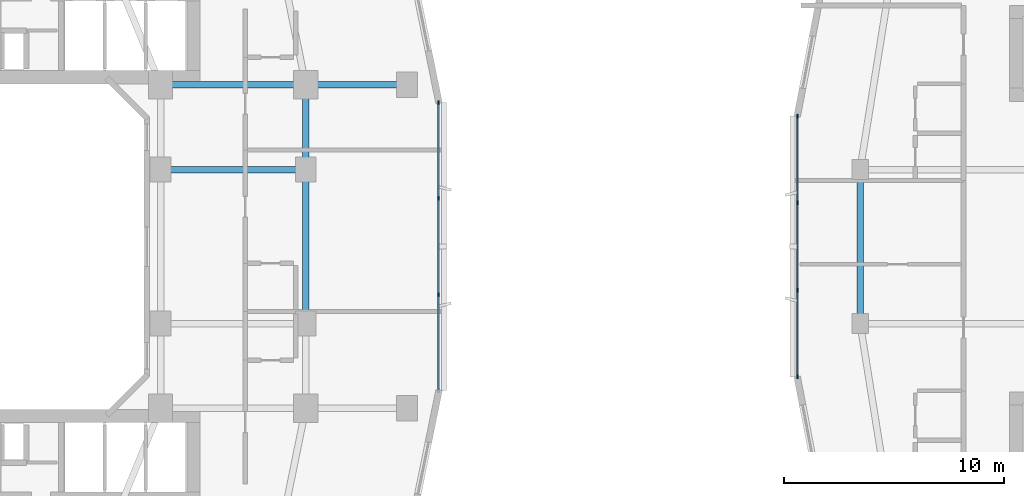
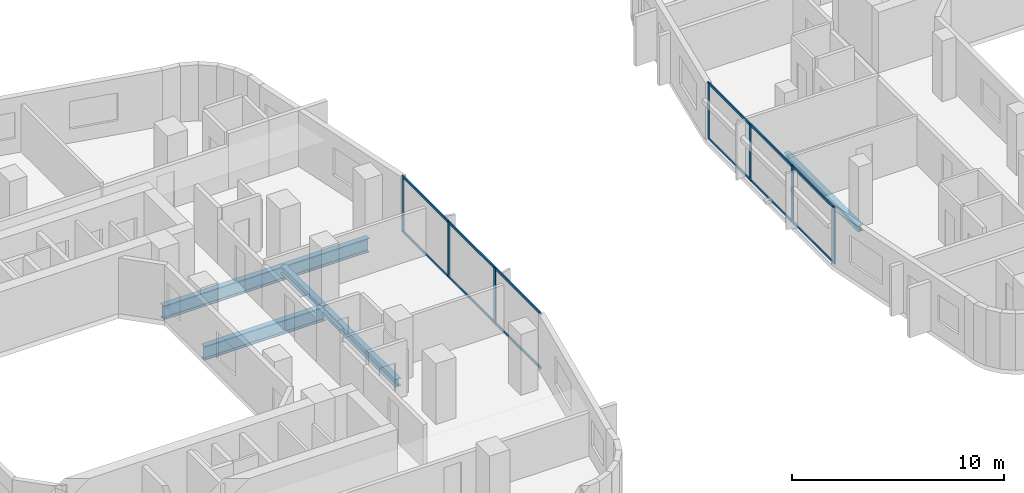
# One storey, part 5 of 26: 19 members, 6 beams, 2 elements without a shape of their own.
"""IFC4 building model written with IfcOpenShell, lengths in metres."""

from ifc_helpers import new_model, si_unit, derived_unit, direction, frame, origin, origin_2d, place, context, subcontext, project, spatial, rectangle, i_section, extrude, material, layer, layer_set, material_profile, profile_set, type_object, element, aggregate, save


model = new_model("IFC4")

# Units and contexts
model_context = context("Model", 3, precision=1e-05, world=origin(), true_north=direction((0.0, 1.0)))
body_context = subcontext(model_context, "Body", "Model", "MODEL_VIEW")
ifc_project = project(units=[si_unit("LENGTHUNIT", "METRE"), si_unit("AREAUNIT", "SQUARE_METRE"), si_unit("VOLUMEUNIT", "CUBIC_METRE"), si_unit("PLANEANGLEUNIT", "RADIAN"), si_unit("MASSUNIT", "GRAM", prefix="KILO"), derived_unit("THERMALTRANSMITTANCEUNIT", [(si_unit("POWERUNIT", "WATT"), 1), (si_unit("LENGTHUNIT", "METRE"), -2), (si_unit("THERMODYNAMICTEMPERATUREUNIT", "KELVIN"), -1)])], contexts=[model_context])

# Site, building, storey
site_placement = place(None, origin())
site = spatial("IfcSite", under=ifc_project, at=site_placement, CompositionType="ELEMENT")
building_placement = place(site_placement, origin())
building = spatial("IfcBuilding", under=site, at=building_placement, Name="Kivonza Crest Hotel", CompositionType="ELEMENT")
storey_placement = place(building_placement, frame((0.0, 0.0, 55.5)))
storey = spatial("IfcBuildingStorey", under=building, at=storey_placement, Name="L14", CompositionType="ELEMENT", Elevation=55.5)

# Beams
ifc_material_1 = material(Name="Steel S355", Category="steel")
ifc_material_profile_1 = material_profile(ifc_material_1, i_section(OverallWidth=0.300048828125, OverallDepth=0.360107421875, WebThickness=0.012451171875, FlangeThickness=0.0224609375, FilletRadius=0.027099609375, at=origin_2d()), Name="HEB 360")
ifc_profile_set_1 = profile_set([ifc_material_profile_1], Name="Steel S355")
beam_type_1 = type_object("IfcBeamType", Name="BM-HEB360", PredefinedType="SPANDREL", material=ifc_profile_set_1)
beam_1_placement = place(storey_placement, frame((61.0, 28.5, -0.429931640625), z_axis=(0.0, -1.0, 0.0), x_axis=(1.0, 0.0, 0.0)))
element("IfcBeam", 1, at=beam_1_placement, inside=storey, type_object=beam_type_1, Name="Companion Tower T2 L14 perimeter spandrel W2-W1", PredefinedType="SPANDREL", context=body_context, shape_type="SweptSolid", body=[
    extrude(i_section(OverallWidth=0.300048828125, OverallDepth=0.360107421875, WebThickness=0.012451171875, FlangeThickness=0.0224609375, FilletRadius=0.027099609375, at=origin_2d()), origin(), (0.0, 0.0, 1.0), 7.0),
])
ifc_material_profile_2 = material_profile(ifc_material_1, i_section(OverallWidth=0.300048828125, OverallDepth=0.449951171875, WebThickness=0.013916015625, FlangeThickness=0.02587890625, FilletRadius=0.027099609375, at=origin_2d()), Name="HEB 450")
ifc_profile_set_2 = profile_set([ifc_material_profile_2], Name="Steel S355")
beam_type_2 = type_object("IfcBeamType", Name="BM-HEB450", PredefinedType="SPANDREL", material=ifc_profile_set_2)
beam_2_placement = place(storey_placement, frame((35.800048828125, 21.5, -0.5048828125), z_axis=(0.0, 1.0, 0.0), x_axis=(-1.0, 0.0, 0.0)))
element("IfcBeam", 2, at=beam_2_placement, inside=storey, type_object=beam_type_2, Name="Tower T1 L14 perimeter spandrel E1-E2", PredefinedType="SPANDREL", context=body_context, shape_type="SweptSolid", body=[
    extrude(i_section(OverallWidth=0.300048828125, OverallDepth=0.449951171875, WebThickness=0.013916015625, FlangeThickness=0.02587890625, FilletRadius=0.027099609375, at=origin_2d()), origin(), (0.0, 0.0, 1.0), 7.0),
])
beam_3_placement = place(storey_placement, frame((35.800048828125, 28.5, -0.5048828125), z_axis=(0.0, 1.0, 0.0), x_axis=(-1.0, 0.0, 0.0)))
element("IfcBeam", 3, at=beam_3_placement, inside=storey, type_object=beam_type_2, Name="Tower T1 L14 perimeter spandrel E2-PNE", PredefinedType="SPANDREL", context=body_context, shape_type="SweptSolid", body=[
    extrude(i_section(OverallWidth=0.300048828125, OverallDepth=0.449951171875, WebThickness=0.013916015625, FlangeThickness=0.02587890625, FilletRadius=0.027099609375, at=origin_2d()), origin(), (0.0, 0.0, 1.0), 3.85009765625),
])
ifc_material_profile_3 = material_profile(ifc_material_1, i_section(OverallWidth=0.300048828125, OverallDepth=0.800048828125, WebThickness=0.017578125, FlangeThickness=0.032958984375, FilletRadius=0.030029296875, at=origin_2d()), Name="HEB 800")
ifc_profile_set_3 = profile_set([ifc_material_profile_3], Name="Steel S355")
beam_type_3 = type_object("IfcBeamType", Name="BM-HEB800", PredefinedType="BEAM", material=ifc_profile_set_3)
for number, where, z_axis, x_axis, name in (
    (4, (29.199951171875, 32.35009765625, -0.679931640625), (1.0, 0.0, 0.0), (0.0, 1.0, 0.0), "Tower T1 L14 primary girder TNE-PNE"),
    (5, (29.199951171875, 28.5, -0.679931640625), (1.0, 0.0, 0.0), (0.0, 1.0, 0.0), "Tower T1 L14 primary girder WR2-E2"),
):
    element("IfcBeam", number, at=place(storey_placement, frame(where, z_axis=z_axis, x_axis=x_axis)), inside=storey, type_object=beam_type_3, Name=name, PredefinedType="BEAM", context=body_context, shape_type="SweptSolid", body=[
        extrude(i_section(OverallWidth=0.300048828125, OverallDepth=0.800048828125, WebThickness=0.017578125, FlangeThickness=0.032958984375, FilletRadius=0.030029296875, at=origin_2d()), origin(), (0.0, 0.0, 1.0), 6.60009765625),
    ])
beam_4_placement = place(storey_placement, frame((40.39990234375, 32.35009765625, -0.679931640625), z_axis=(-1.0, 0.0, 0.0), x_axis=(0.0, -1.0, 0.0)))
element("IfcBeam", 6, at=beam_4_placement, inside=storey, type_object=beam_type_3, Name="Tower T1 L14 outer bay girder ZE2", PredefinedType="BEAM", context=body_context, shape_type="SweptSolid", body=[
    extrude(i_section(OverallWidth=0.300048828125, OverallDepth=0.800048828125, WebThickness=0.017578125, FlangeThickness=0.032958984375, FilletRadius=0.030029296875, at=origin_2d()), origin(), (0.0, 0.0, 1.0), 4.599853515625),
])

# Curtain wall, members
ifc_material_2 = material(Name="Anodised bronze aluminium and low-E double glazing", Category="aluminium")
ifc_layer_1 = layer(ifc_material_2, 0.179931640625)
ifc_layer_set_1 = layer_set([ifc_layer_1], Name="Anodised bronze aluminium and low-E double glazing")
curtain_wall_type_1 = type_object("IfcCurtainWallType", Name="CW-SYS-2", PredefinedType="NOTDEFINED", material=ifc_layer_set_1)
curtain_wall_1_placement = place(storey_placement, origin())
curtain_wall_1 = element("IfcCurtainWall", 7, at=curtain_wall_1_placement, inside=storey, type_object=curtain_wall_type_1, Name="L14 unitised curtain wall CW-T1-L14-17", PredefinedType="NOTDEFINED")
ifc_material_3 = material(Name="Anodised bronze aluminium", Category="aluminium")
ifc_material_profile_4 = material_profile(ifc_material_3, rectangle(XDim=0.06494140625, YDim=0.179931640625, at=origin_2d()), Name="CW-M 65x180")
ifc_profile_set_4 = profile_set([ifc_material_profile_4], Name="Anodised bronze aluminium")
member_type_1 = type_object("IfcMemberType", Name="CW-MUL-65x180", PredefinedType="MULLION", material=ifc_profile_set_4)
member_1_placement = place(storey_placement, frame((41.840087890625, 22.813232421875, 0.0), z_axis=(0.0, 0.0, 1.0), x_axis=(-1.0, 0.0, 0.0)))
member_1 = element("IfcMember", 8, at=member_1_placement, type_object=member_type_1, Name="CW-2 mullion 2", PredefinedType="MULLION", context=body_context, shape_type="SweptSolid", body=[
    extrude(rectangle(XDim=0.06494140625, YDim=0.179931640625, at=origin_2d()), origin(), (0.0, 0.0, 1.0), 3.219970703125),
])
member_2_placement = place(storey_placement, frame((41.840087890625, 27.186767578125, 0.0), z_axis=(0.0, 0.0, 1.0), x_axis=(-1.0, 0.0, 0.0)))
member_2 = element("IfcMember", 9, at=member_2_placement, type_object=member_type_1, Name="CW-2 mullion 3", PredefinedType="MULLION", context=body_context, shape_type="SweptSolid", body=[
    extrude(rectangle(XDim=0.06494140625, YDim=0.179931640625, at=origin_2d()), origin(), (0.0, 0.0, 1.0), 3.219970703125),
])
member_3_placement = place(storey_placement, frame((41.840087890625, 31.527587890625, 0.0), z_axis=(0.0, 0.0, 1.0), x_axis=(-1.0, 0.0, 0.0)))
member_3 = element("IfcMember", 10, at=member_3_placement, type_object=member_type_1, Name="CW-2 mullion 4", PredefinedType="MULLION", context=body_context, shape_type="SweptSolid", body=[
    extrude(rectangle(XDim=0.06494140625, YDim=0.179931640625, at=origin_2d()), origin(), (0.0, 0.0, 1.0), 3.219970703125),
])

ifc_layer_2 = layer(ifc_material_2, 0.179931640625)
ifc_layer_set_2 = layer_set([ifc_layer_2], Name="Anodised bronze aluminium and low-E double glazing")
curtain_wall_type_2 = type_object("IfcCurtainWallType", Name="CW-SYS-4", PredefinedType="NOTDEFINED", material=ifc_layer_set_2)
curtain_wall_2_placement = place(storey_placement, origin())
curtain_wall_2 = element("IfcCurtainWall", 11, at=curtain_wall_2_placement, inside=storey, type_object=curtain_wall_type_2, Name="L14 unitised curtain wall CW-T2-L14-35", PredefinedType="NOTDEFINED")
member_4_placement = place(storey_placement, frame((58.159912109375, 30.927490234375, 0.0), z_axis=(0.0, 0.0, 1.0), x_axis=(1.0, 0.0, 0.0)))
member_4 = element("IfcMember", 12, at=member_4_placement, type_object=member_type_1, Name="CW-4 mullion 1", PredefinedType="MULLION", context=body_context, shape_type="SweptSolid", body=[
    extrude(rectangle(XDim=0.06494140625, YDim=0.179931640625, at=origin_2d()), origin(), (0.0, 0.0, 1.0), 3.25),
])
member_5_placement = place(storey_placement, frame((58.159912109375, 26.986572265625, 0.0), z_axis=(0.0, 0.0, 1.0), x_axis=(1.0, 0.0, 0.0)))
member_5 = element("IfcMember", 13, at=member_5_placement, type_object=member_type_1, Name="CW-4 mullion 2", PredefinedType="MULLION", context=body_context, shape_type="SweptSolid", body=[
    extrude(rectangle(XDim=0.06494140625, YDim=0.179931640625, at=origin_2d()), origin(), (0.0, 0.0, 1.0), 3.25),
])
member_6_placement = place(storey_placement, frame((58.159912109375, 23.013427734375, 0.0), z_axis=(0.0, 0.0, 1.0), x_axis=(1.0, 0.0, 0.0)))
member_6 = element("IfcMember", 14, at=member_6_placement, type_object=member_type_1, Name="CW-4 mullion 3", PredefinedType="MULLION", context=body_context, shape_type="SweptSolid", body=[
    extrude(rectangle(XDim=0.06494140625, YDim=0.179931640625, at=origin_2d()), origin(), (0.0, 0.0, 1.0), 3.25),
])
member_7_placement = place(storey_placement, frame((58.159912109375, 19.072509765625, 0.0), z_axis=(0.0, 0.0, 1.0), x_axis=(1.0, 0.0, 0.0)))
member_7 = element("IfcMember", 15, at=member_7_placement, type_object=member_type_1, Name="CW-4 mullion 4", PredefinedType="MULLION", context=body_context, shape_type="SweptSolid", body=[
    extrude(rectangle(XDim=0.06494140625, YDim=0.179931640625, at=origin_2d()), origin(), (0.0, 0.0, 1.0), 3.25),
])

# Member
ifc_material_profile_5 = material_profile(ifc_material_3, rectangle(XDim=0.06494140625, YDim=0.139892578125, at=origin_2d()), Name="CW-T 65x140")
ifc_profile_set_5 = profile_set([ifc_material_profile_5], Name="Anodised bronze aluminium")
member_type_2 = type_object("IfcMemberType", Name="CW-TRN-65x140", PredefinedType="USERDEFINED", material=ifc_profile_set_5)
member_8_placement = place(storey_placement, frame((41.840087890625, 18.5048828125, 0.032470703125), z_axis=(0.0, 1.0, 0.0), x_axis=(-1.0, 0.0, 0.0)))
member_8 = element("IfcMember", 16, at=member_8_placement, type_object=member_type_2, Name="CW-2 transom 1.1", ObjectType="TRANSOM", PredefinedType="USERDEFINED", context=body_context, shape_type="SweptSolid", body=[
    extrude(rectangle(XDim=0.06494140625, YDim=0.139892578125, at=origin_2d()), origin(), (0.0, 0.0, 1.0), 4.27587890625),
])

member_9_placement = place(storey_placement, frame((41.840087890625, 18.5048828125, 3.1875), z_axis=(0.0, 1.0, 0.0), x_axis=(-1.0, 0.0, 0.0)))
member_9 = element("IfcMember", 17, at=member_9_placement, type_object=member_type_2, Name="CW-2 transom 1.2", ObjectType="TRANSOM", PredefinedType="USERDEFINED", context=body_context, shape_type="SweptSolid", body=[
    extrude(rectangle(XDim=0.06494140625, YDim=0.139892578125, at=origin_2d()), origin(), (0.0, 0.0, 1.0), 4.27587890625),
])

member_10_placement = place(storey_placement, frame((41.840087890625, 22.845947265625, 0.032470703125), z_axis=(0.0, 1.0, 0.0), x_axis=(-1.0, 0.0, 0.0)))
member_10 = element("IfcMember", 18, at=member_10_placement, type_object=member_type_2, Name="CW-2 transom 2.1", ObjectType="TRANSOM", PredefinedType="USERDEFINED", context=body_context, shape_type="SweptSolid", body=[
    extrude(rectangle(XDim=0.06494140625, YDim=0.139892578125, at=origin_2d()), origin(), (0.0, 0.0, 1.0), 4.30810546875),
])

member_11_placement = place(storey_placement, frame((41.840087890625, 22.845947265625, 3.1875), z_axis=(0.0, 1.0, 0.0), x_axis=(-1.0, 0.0, 0.0)))
member_11 = element("IfcMember", 19, at=member_11_placement, type_object=member_type_2, Name="CW-2 transom 2.2", ObjectType="TRANSOM", PredefinedType="USERDEFINED", context=body_context, shape_type="SweptSolid", body=[
    extrude(rectangle(XDim=0.06494140625, YDim=0.139892578125, at=origin_2d()), origin(), (0.0, 0.0, 1.0), 4.30810546875),
])

member_12_placement = place(storey_placement, frame((41.840087890625, 27.21923828125, 0.032470703125), z_axis=(0.0, 1.0, 0.0), x_axis=(-1.0, 0.0, 0.0)))
member_12 = element("IfcMember", 20, at=member_12_placement, type_object=member_type_2, Name="CW-2 transom 3.1", ObjectType="TRANSOM", PredefinedType="USERDEFINED", context=body_context, shape_type="SweptSolid", body=[
    extrude(rectangle(XDim=0.06494140625, YDim=0.139892578125, at=origin_2d()), origin(), (0.0, 0.0, 1.0), 4.27587890625),
])

member_13_placement = place(storey_placement, frame((41.840087890625, 27.21923828125, 3.1875), z_axis=(0.0, 1.0, 0.0), x_axis=(-1.0, 0.0, 0.0)))
member_13 = element("IfcMember", 21, at=member_13_placement, type_object=member_type_2, Name="CW-2 transom 3.2", ObjectType="TRANSOM", PredefinedType="USERDEFINED", context=body_context, shape_type="SweptSolid", body=[
    extrude(rectangle(XDim=0.06494140625, YDim=0.139892578125, at=origin_2d()), origin(), (0.0, 0.0, 1.0), 4.27587890625),
])

aggregate(curtain_wall_1, [member_1, member_2, member_3, member_8, member_9, member_10, member_11, member_12, member_13])

member_14_placement = place(storey_placement, frame((58.159912109375, 30.89501953125, 0.032470703125), z_axis=(0.0, -1.0, 0.0), x_axis=(1.0, 0.0, 0.0)))
member_14 = element("IfcMember", 22, at=member_14_placement, type_object=member_type_2, Name="CW-4 transom 1.1", ObjectType="TRANSOM", PredefinedType="USERDEFINED", context=body_context, shape_type="SweptSolid", body=[
    extrude(rectangle(XDim=0.06494140625, YDim=0.139892578125, at=origin_2d()), origin(), (0.0, 0.0, 1.0), 3.875732421875),
])

member_15_placement = place(storey_placement, frame((58.159912109375, 30.89501953125, 3.217529296875), z_axis=(0.0, -1.0, 0.0), x_axis=(1.0, 0.0, 0.0)))
member_15 = element("IfcMember", 23, at=member_15_placement, type_object=member_type_2, Name="CW-4 transom 1.2", ObjectType="TRANSOM", PredefinedType="USERDEFINED", context=body_context, shape_type="SweptSolid", body=[
    extrude(rectangle(XDim=0.06494140625, YDim=0.139892578125, at=origin_2d()), origin(), (0.0, 0.0, 1.0), 3.875732421875),
])

member_16_placement = place(storey_placement, frame((58.159912109375, 26.9541015625, 0.032470703125), z_axis=(0.0, -1.0, 0.0), x_axis=(1.0, 0.0, 0.0)))
member_16 = element("IfcMember", 24, at=member_16_placement, type_object=member_type_2, Name="CW-4 transom 2.1", ObjectType="TRANSOM", PredefinedType="USERDEFINED", context=body_context, shape_type="SweptSolid", body=[
    extrude(rectangle(XDim=0.06494140625, YDim=0.139892578125, at=origin_2d()), origin(), (0.0, 0.0, 1.0), 3.908203125),
])

member_17_placement = place(storey_placement, frame((58.159912109375, 26.9541015625, 3.217529296875), z_axis=(0.0, -1.0, 0.0), x_axis=(1.0, 0.0, 0.0)))
member_17 = element("IfcMember", 25, at=member_17_placement, type_object=member_type_2, Name="CW-4 transom 2.2", ObjectType="TRANSOM", PredefinedType="USERDEFINED", context=body_context, shape_type="SweptSolid", body=[
    extrude(rectangle(XDim=0.06494140625, YDim=0.139892578125, at=origin_2d()), origin(), (0.0, 0.0, 1.0), 3.908203125),
])

member_18_placement = place(storey_placement, frame((58.159912109375, 22.980712890625, 0.032470703125), z_axis=(0.0, -1.0, 0.0), x_axis=(1.0, 0.0, 0.0)))
member_18 = element("IfcMember", 26, at=member_18_placement, type_object=member_type_2, Name="CW-4 transom 3.1", ObjectType="TRANSOM", PredefinedType="USERDEFINED", context=body_context, shape_type="SweptSolid", body=[
    extrude(rectangle(XDim=0.06494140625, YDim=0.139892578125, at=origin_2d()), origin(), (0.0, 0.0, 1.0), 3.875732421875),
])

member_19_placement = place(storey_placement, frame((58.159912109375, 22.980712890625, 3.217529296875), z_axis=(0.0, -1.0, 0.0), x_axis=(1.0, 0.0, 0.0)))
member_19 = element("IfcMember", 27, at=member_19_placement, type_object=member_type_2, Name="CW-4 transom 3.2", ObjectType="TRANSOM", PredefinedType="USERDEFINED", context=body_context, shape_type="SweptSolid", body=[
    extrude(rectangle(XDim=0.06494140625, YDim=0.139892578125, at=origin_2d()), origin(), (0.0, 0.0, 1.0), 3.875732421875),
])

aggregate(curtain_wall_2, [member_4, member_5, member_6, member_7, member_14, member_15, member_16, member_17, member_18, member_19])

save(model, "model.ifc")
